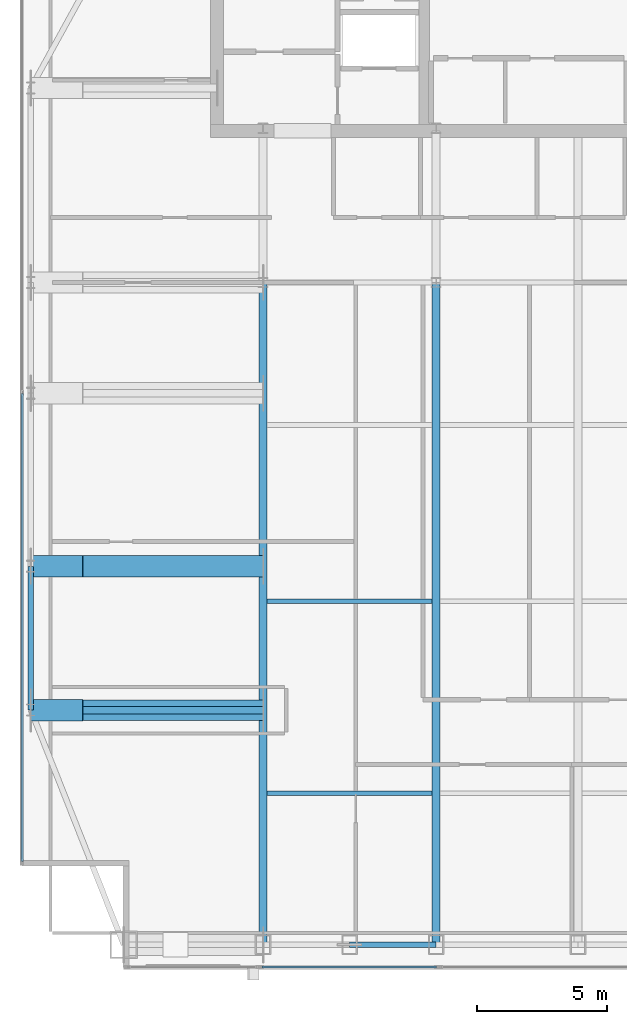
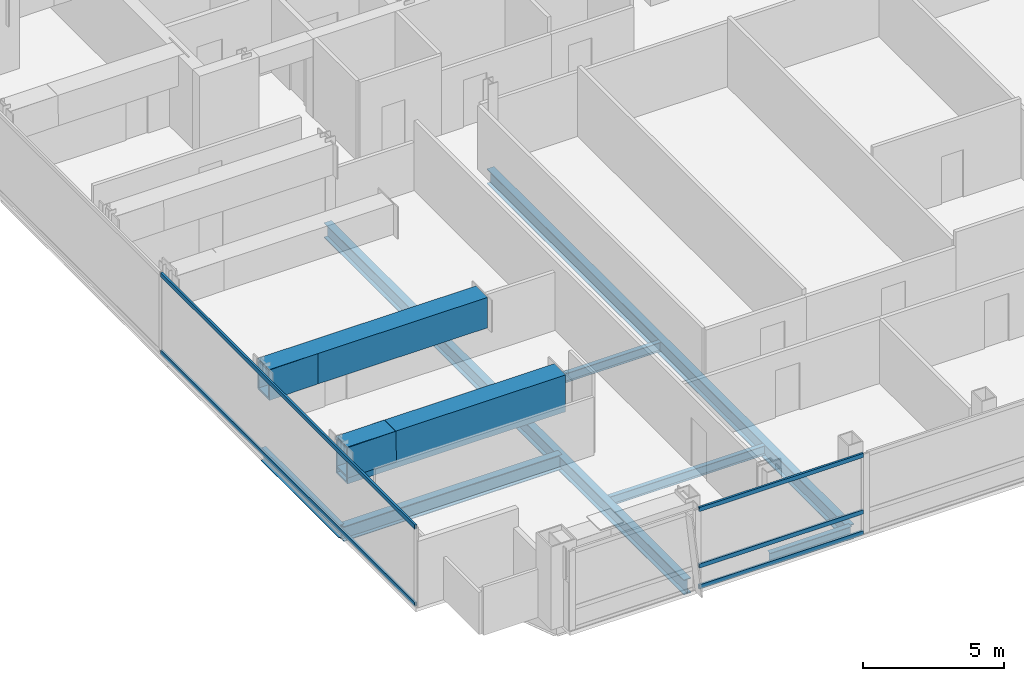
# One storey, part 6 of 26: 11 beams, 5 members, 2 elements without a shape of their own.
"""IFC4 building model written with IfcOpenShell, lengths in metres."""

import ifcopenshell
import ifcopenshell.guid

model = None  # the IFC model being written
_history = None  # IfcOwnerHistory: only IFC2X3 demands one
_inside = {}  # id of a spatial element -> (the spatial element, [elements in it])
_under = {}  # id of a project, library or spatial element -> (it, [spatial elements below it])
_declared = {}  # id of a project -> (the project, [libraries it declares])
_typed = {}  # id of a type object -> (the type object, [elements of that type])
_made_of = {}  # id of a material, layer set ... -> (it, [elements and type objects made of it])


def new_model(schema):
    """Start an empty IFC model of exactly this schema.

    Asked for "IFC4X3", IfcOpenShell would pick the latest addendum, in which some entities
    have other attributes; the version numbers below select the first issue.
    IFC2X3 requires an IfcOwnerHistory on every rooted entity: one is made here for all.
    """
    global model, _history
    if schema == "IFC4X3":
        model = ifcopenshell.file(schema_version=(4, 3, 0, 0))
    else:
        model = ifcopenshell.file(schema=schema)
    _inside.clear()
    _under.clear()
    _declared.clear()
    _typed.clear()
    _made_of.clear()
    _history = None
    if model.schema == "IFC2X3":
        org = make("IfcOrganization", Name="unknown")
        user = make(
            "IfcPersonAndOrganization",
            ThePerson=make("IfcPerson", FamilyName="unknown"),
            TheOrganization=org,
        )
        app = make(
            "IfcApplication",
            ApplicationDeveloper=org,
            Version="unknown",
            ApplicationFullName="unknown",
            ApplicationIdentifier="unknown",
        )
        _history = make(
            "IfcOwnerHistory",
            OwningUser=user,
            OwningApplication=app,
            ChangeAction="ADDED",
            CreationDate=0,
        )
    return model


def make(cls, **values):
    """One entity of the class cls with the attributes given. An attribute that is None is left unset."""
    return model.create_entity(
        cls, **{name: value for name, value in values.items() if value is not None}
    )


def rooted(cls, **values):
    """An entity with a GlobalId (a new one), such as an element, a storey or a relation."""
    return make(cls, GlobalId=ifcopenshell.guid.new(), OwnerHistory=_history, **values)


def si_unit(unit_type, name, prefix=None):
    """IfcSIUnit, for example si_unit("LENGTHUNIT", "METRE", prefix="MILLI")."""
    return make("IfcSIUnit", UnitType=unit_type, Prefix=prefix, Name=name)


def assignment(units):
    """IfcUnitAssignment: the units of a project."""
    return None if units is None else make("IfcUnitAssignment", Units=units)


def point(xyz):
    """IfcCartesianPoint."""
    return None if xyz is None else make("IfcCartesianPoint", Coordinates=xyz)


def direction(xyz):
    """IfcDirection."""
    return None if xyz is None else make("IfcDirection", DirectionRatios=xyz)


def frame(location, z_axis=None, x_axis=None):
    """IfcAxis2Placement3D, a coordinate frame: its origin and axes. An axis left out is left unset."""
    return make(
        "IfcAxis2Placement3D",
        Location=point(location),
        Axis=direction(z_axis),
        RefDirection=direction(x_axis),
    )


def frame_2d(location, x_axis=None):
    """IfcAxis2Placement2D, a coordinate frame in the plane: its origin and x axis."""
    return make(
        "IfcAxis2Placement2D", Location=point(location), RefDirection=direction(x_axis)
    )


def origin():
    """The frame at (0, 0, 0) with its axes left unset."""
    return frame((0.0, 0.0, 0.0))


def origin_2d():
    """The frame at (0, 0) in the plane with its x axis left unset."""
    return frame_2d((0.0, 0.0))


def place(relative_to, where):
    """IfcLocalPlacement: puts the frame where relative to a parent placement (None: the world)."""
    return make(
        "IfcLocalPlacement", PlacementRelTo=relative_to, RelativePlacement=where
    )


def context(
    kind, dimensions, precision=None, world=None, true_north=None, identifier=None
):
    """IfcGeometricRepresentationContext, for example the 3D "Model" context."""
    return make(
        "IfcGeometricRepresentationContext",
        ContextIdentifier=identifier,
        ContextType=kind,
        CoordinateSpaceDimension=dimensions,
        Precision=precision,
        WorldCoordinateSystem=world,
        TrueNorth=true_north,
    )


def subcontext(parent, identifier, kind, view, scale=None):
    """IfcGeometricRepresentationSubContext, for example "Body" below "Model"."""
    return make(
        "IfcGeometricRepresentationSubContext",
        ContextIdentifier=identifier,
        ContextType=kind,
        ParentContext=parent,
        TargetScale=scale,
        TargetView=view,
    )


def project(units=None, contexts=None):
    """IfcProject with its units and contexts."""
    return rooted(
        "IfcProject",
        Name="project",
        RepresentationContexts=contexts,
        UnitsInContext=assignment(units),
    )


def spatial(cls, under=None, at=None, **own):
    """A site, building, storey or space (cls), placed at a placement, below another one or the project."""
    s = rooted(cls, ObjectPlacement=at, **own)
    if under is not None:
        _under.setdefault(under.id(), (under, []))[1].append(s)
    return s


def profile(cls, at=None, kind="AREA", **sizes):
    """A parametric profile (cls). Its sizes go by their IFC names, for example OverallWidth=200.0."""
    return make(cls, ProfileType=kind, Position=at, **sizes)


def hollow_rectangle(**sizes):
    """IfcRectangleHollowProfileDef."""
    return profile("IfcRectangleHollowProfileDef", **sizes)


def i_section(**sizes):
    """IfcIShapeProfileDef."""
    return profile("IfcIShapeProfileDef", **sizes)


def extrude(swept, where, along, depth):
    """IfcExtrudedAreaSolid: the profile swept, set in the frame where, extruded along a direction by depth."""
    return make(
        "IfcExtrudedAreaSolid",
        SweptArea=swept,
        Position=where,
        ExtrudedDirection=direction(along),
        Depth=depth,
    )


def shape(context_of_items, identifier, shape_type, items):
    """IfcShapeRepresentation: the items that make up one representation, for example the "Body"."""
    return make(
        "IfcShapeRepresentation",
        ContextOfItems=context_of_items,
        RepresentationIdentifier=identifier,
        RepresentationType=shape_type,
        Items=items,
    )


def material(Name=None, Category=None):
    """IfcMaterial."""
    return make("IfcMaterial", Name=Name, Category=Category)


def material_profile(
    of_material, cross_section, Name=None, Category=None, Priority=None
):
    """IfcMaterialProfile: a cross section and its material."""
    return make(
        "IfcMaterialProfile",
        Name=Name,
        Material=of_material,
        Profile=cross_section,
        Priority=Priority,
        Category=Category,
    )


def profile_set(profiles, Name=None, composite=None):
    """IfcMaterialProfileSet."""
    return make(
        "IfcMaterialProfileSet",
        Name=Name,
        MaterialProfiles=profiles,
        CompositeProfile=composite,
    )


def made_of(thing, what):
    """Note that an element or type object is made of a material, layer set ...; save() writes the relation."""
    if what is not None:
        _made_of.setdefault(what.id(), (what, []))[1].append(thing)
    return thing


def type_object(cls, material=None, **own):
    """A type object (cls), such as IfcWallType, which elements share."""
    return made_of(rooted(cls, **own), material)


def element(
    cls,
    number,
    at=None,
    inside=None,
    cuts=None,
    type_object=None,
    material=None,
    context=None,
    identifier="Body",
    shape_type=None,
    held_by="IfcProductDefinitionShape",
    body=None,
    shapes=None,
    **own,
):
    """One element of the class cls, such as IfcWall. Its Tag is "e" and its number.

    at: its placement. inside: the storey or other place that contains it. cuts: it is an
    opening in that element (IfcRelVoidsElement). A single representation is given by context,
    identifier, shape_type and body (its items); several are given by shapes. held_by: the class
    of the entity that holds the representations. save() writes the other relations.
    """
    e = rooted(cls, Tag="e%d" % number, ObjectPlacement=at, **own)
    if body is not None:
        shapes = [shape(context, identifier, shape_type, body)]
    if shapes is not None:
        e.Representation = make(held_by, Representations=shapes)
    if inside is not None:
        _inside.setdefault(inside.id(), (inside, []))[1].append(e)
    if cuts is not None:
        rooted(
            "IfcRelVoidsElement", RelatingBuildingElement=cuts, RelatedOpeningElement=e
        )
    if type_object is not None:
        _typed.setdefault(type_object.id(), (type_object, []))[1].append(e)
    return made_of(e, material)


def aggregate(whole, parts):
    """IfcRelAggregates: a whole, such as a stair, and the parts it consists of."""
    return rooted("IfcRelAggregates", RelatingObject=whole, RelatedObjects=parts)


def save(model, path):
    """Write the relations noted so far, then the file.

    IfcRelAggregates (storeys below a building ...), IfcRelContainedInSpatialStructure (elements
    in a storey), IfcRelDefinesByType, IfcRelAssociatesMaterial and IfcRelDeclares: one each for
    every whole, place, type object, material and project.
    """
    for whole, parts in _under.values():
        aggregate(whole, parts)
    for where, things in _inside.values():
        rooted(
            "IfcRelContainedInSpatialStructure",
            RelatedElements=things,
            RelatingStructure=where,
        )
    for kind, things in _typed.values():
        rooted("IfcRelDefinesByType", RelatedObjects=things, RelatingType=kind)
    for what, things in _made_of.values():
        rooted("IfcRelAssociatesMaterial", RelatedObjects=things, RelatingMaterial=what)
    for by, libraries in _declared.values():
        rooted("IfcRelDeclares", RelatingContext=by, RelatedDefinitions=libraries)
    model.write(path)


model = new_model("IFC4")

# Units and contexts
model_context = context("Model", 3, precision=1e-05, world=origin(), true_north=direction((0.0, 1.0)))
body_context = subcontext(model_context, "Body", "Model", "MODEL_VIEW")
ifc_project = project(units=[si_unit("LENGTHUNIT", "METRE"), si_unit("AREAUNIT", "SQUARE_METRE"), si_unit("VOLUMEUNIT", "CUBIC_METRE"), si_unit("PLANEANGLEUNIT", "RADIAN"), si_unit("MASSUNIT", "GRAM", prefix="KILO")], contexts=[model_context])

# Site, building, storey
site_placement = place(None, origin())
site = spatial("IfcSite", under=ifc_project, at=site_placement, CompositionType="ELEMENT")
building_placement = place(site_placement, origin())
building = spatial("IfcBuilding", under=site, at=building_placement, Name="Khoronbel Lancet Exchange", CompositionType="ELEMENT")
storey_placement = place(building_placement, frame((0.0, 0.0, 287.800048828125)))
storey = spatial("IfcBuildingStorey", under=building, at=storey_placement, Name="L74", CompositionType="ELEMENT", Elevation=287.800048828125)

# Beams
ifc_material_1 = material(Name="Steel S355", Category="steel")
ifc_material_profile_1 = material_profile(ifc_material_1, i_section(OverallWidth=0.300048828125, OverallDepth=0.64990234375, WebThickness=0.01611328125, FlangeThickness=0.031005859375, at=origin_2d()), Name="HEB 650")
ifc_profile_set_1 = profile_set([ifc_material_profile_1], Name="Steel S355")
beam_type_1 = type_object("IfcBeamType", Name="BM-BG4", PredefinedType="BEAM", material=ifc_profile_set_1)
for number, where, z_axis, x_axis, name in (
    (1, (18.22509765625, 10.14990234375, -0.485107421875), (0.0, 1.0, 0.0), (-1.0, 0.0, 0.0), "Level L74 south primary girder GS1"),
    (2, (24.89990234375, 10.14990234375, -0.485107421875), (0.0, 1.0, 0.0), (-1.0, 0.0, 0.0), "Level L74 south primary girder GS2"),
):
    element("IfcBeam", number, at=place(storey_placement, frame(where, z_axis=z_axis, x_axis=x_axis)), inside=storey, type_object=beam_type_1, Name=name, PredefinedType="BEAM", context=body_context, shape_type="SweptSolid", body=[
        extrude(i_section(OverallWidth=0.300048828125, OverallDepth=0.64990234375, WebThickness=0.01611328125, FlangeThickness=0.031005859375, at=origin_2d()), origin(), (0.0, 0.0, 1.0), 25.550048828125),
    ])
beam_1_placement = place(storey_placement, frame((9.27001953125, 19.199951171875, -0.485107421875), z_axis=(1.0, 0.0, 0.0), x_axis=(0.0, 1.0, 0.0)))
element("IfcBeam", 3, at=beam_1_placement, inside=storey, type_object=beam_type_1, Name="Level L74 west lens tie girder LG1W", PredefinedType="BEAM", context=body_context, shape_type="SweptSolid", body=[
    extrude(i_section(OverallWidth=0.300048828125, OverallDepth=0.64990234375, WebThickness=0.01611328125, FlangeThickness=0.031005859375, at=origin_2d()), origin(), (0.0, 0.0, 1.0), 8.955078125),
])
ifc_material_profile_2 = material_profile(ifc_material_1, i_section(OverallWidth=0.179931640625, OverallDepth=0.39990234375, WebThickness=0.008544921875, FlangeThickness=0.013427734375, at=origin_2d()), Name="IPE 400")
ifc_profile_set_2 = profile_set([ifc_material_profile_2], Name="Steel S355")
beam_type_2 = type_object("IfcBeamType", Name="BM-BJ5", PredefinedType="JOIST", material=ifc_profile_set_2)
for number, where, z_axis, x_axis, name in (
    (4, (18.375, 16.0, -0.360107421875), (1.0, 0.0, 0.0), (0.0, 1.0, 0.0), "Level L74 secondary composite joist J01"),
    (5, (18.375, 23.39990234375, -0.360107421875), (1.0, 0.0, 0.0), (0.0, 1.0, 0.0), "Level L74 secondary composite joist J06"),
):
    element("IfcBeam", number, at=place(storey_placement, frame(where, z_axis=z_axis, x_axis=x_axis)), inside=storey, type_object=beam_type_2, Name=name, PredefinedType="JOIST", context=body_context, shape_type="SweptSolid", body=[
        extrude(i_section(OverallWidth=0.179931640625, OverallDepth=0.39990234375, WebThickness=0.008544921875, FlangeThickness=0.013427734375, at=origin_2d()), origin(), (0.0, 0.0, 1.0), 6.375),
    ])
ifc_material_profile_3 = material_profile(ifc_material_1, i_section(OverallWidth=0.2099609375, OverallDepth=0.550048828125, WebThickness=0.010986328125, FlangeThickness=0.01708984375, at=origin_2d()), Name="IPE 550")
ifc_profile_set_3 = profile_set([ifc_material_profile_3], Name="Steel S355")
beam_type_3 = type_object("IfcBeamType", Name="BM-BSP3", PredefinedType="SPANDREL", material=ifc_profile_set_3)
beam_2_placement = place(storey_placement, frame((21.5625, 10.14990234375, -0.43505859375), z_axis=(1.0, 0.0, 0.0), x_axis=(0.0, 1.0, 0.0)))
element("IfcBeam", 6, at=beam_2_placement, inside=storey, type_object=beam_type_3, Name="Level L74 perimeter spandrel beam SP03", PredefinedType="SPANDREL", context=body_context, shape_type="SweptSolid", body=[
    extrude(i_section(OverallWidth=0.2099609375, OverallDepth=0.550048828125, WebThickness=0.010986328125, FlangeThickness=0.01708984375, at=origin_2d()), origin(), (0.0, 0.0, 1.0), 3.33740234375),
])
beam_3_placement = place(storey_placement, frame((9.27001953125, 24.75, -0.43505859375), z_axis=(0.0, -1.0, 0.0), x_axis=(1.0, 0.0, 0.0)))
element("IfcBeam", 7, at=beam_3_placement, inside=storey, type_object=beam_type_3, Name="Level L74 perimeter spandrel beam SP20", PredefinedType="SPANDREL", context=body_context, shape_type="SweptSolid", body=[
    extrude(i_section(OverallWidth=0.2099609375, OverallDepth=0.550048828125, WebThickness=0.010986328125, FlangeThickness=0.01708984375, at=origin_2d()), origin(), (0.0, 0.0, 1.0), 5.550048828125),
])
ifc_material_2 = material(Name="Steel S460", Category="steel")
ifc_material_profile_4 = material_profile(ifc_material_2, hollow_rectangle(XDim=0.800048828125, YDim=1.60009765625, WallThickness=0.06494140625, at=origin_2d()), Name="BOX 800x1600x65")
ifc_profile_set_4 = profile_set([ifc_material_profile_4], Name="Steel S460")
beam_type_4 = type_object("IfcBeamType", Name="BM-TG2", PredefinedType="USERDEFINED", material=ifc_profile_set_4)
beam_4_placement = place(storey_placement, frame((9.27001953125, 19.199951171875, 2.639892578125), z_axis=(1.0, 0.0, 0.0), x_axis=(0.0, 1.0, 0.0)))
element("IfcBeam", 8, at=beam_4_placement, inside=storey, type_object=beam_type_4, Name="Lens setback S460 transfer girder L74-W1", ObjectType="TRANSFER GIRDER", PredefinedType="USERDEFINED", context=body_context, shape_type="SweptSolid", body=[
    extrude(hollow_rectangle(XDim=0.800048828125, YDim=1.60009765625, WallThickness=0.06494140625, at=origin_2d()), origin(), (0.0, 0.0, 1.0), 8.955078125),
])
ifc_material_profile_5 = material_profile(ifc_material_2, hollow_rectangle(XDim=0.820068359375, YDim=1.320068359375, WallThickness=0.070068359375, at=origin_2d()), Name="BOX 820x1320x70")
ifc_profile_set_5 = profile_set([ifc_material_profile_5], Name="Steel S460")
beam_type_5 = type_object("IfcBeamType", Name="BM-TG4", PredefinedType="USERDEFINED", material=ifc_profile_set_5)
for number, where, z_axis, x_axis, name in (
    (9, (9.27001953125, 19.199951171875, 2.760009765625), (0.99994990606, 0.0, 0.010009264196), (0.0, 1.0, 0.0), "Setback transfer knee-brace girder L74-WC-1"),
    (10, (9.27001953125, 24.75, 2.760009765625), (0.99994990606, 0.0, 0.010009264196), (0.0, 1.0, 0.0), "Setback transfer knee-brace girder L74-WC-2"),
):
    element("IfcBeam", number, at=place(storey_placement, frame(where, z_axis=z_axis, x_axis=x_axis)), inside=storey, type_object=beam_type_5, Name=name, ObjectType="TRANSFER GIRDER", PredefinedType="USERDEFINED", context=body_context, shape_type="SweptSolid", body=[
        extrude(hollow_rectangle(XDim=0.820068359375, YDim=1.320068359375, WallThickness=0.070068359375, at=origin_2d()), origin(), (0.0, 0.0, 1.0), 2.0),
    ])
beam_5_placement = place(storey_placement, frame((9.27001953125, 24.75, 2.780029296875), z_axis=(1.0, 0.0, 0.0), x_axis=(0.0, 1.0, 0.0)))
element("IfcBeam", 11, at=beam_5_placement, inside=storey, type_object=beam_type_5, Name="Lens setback S460 transfer girder L74-W2", ObjectType="TRANSFER GIRDER", PredefinedType="USERDEFINED", context=body_context, shape_type="SweptSolid", body=[
    extrude(hollow_rectangle(XDim=0.820068359375, YDim=1.320068359375, WallThickness=0.070068359375, at=origin_2d()), origin(), (0.0, 0.0, 1.0), 8.955078125),
])

# Curtain wall, members
ifc_material_3 = material(Name="Low-E Solar Control Insulating Glass", Category="glass")
curtain_wall_type_1 = type_object("IfcCurtainWallType", Name="CW-4", PredefinedType="NOTDEFINED", material=ifc_material_3)
curtain_wall_1_placement = place(storey_placement, origin())
curtain_wall_1 = element("IfcCurtainWall", 12, at=curtain_wall_1_placement, inside=storey, type_object=curtain_wall_type_1, Name="Unitised curtain wall CW-L74-E03", PredefinedType="NOTDEFINED")
ifc_material_4 = material(Name="Bronze-Anodised Aluminium 6063-T6", Category="aluminium")
ifc_material_profile_6 = material_profile(ifc_material_4, hollow_rectangle(XDim=0.0849609375, YDim=0.179931640625, WallThickness=0.0048828125, at=origin_2d()), Name="ALU TRANSOM 85x180")
ifc_profile_set_6 = profile_set([ifc_material_profile_6], Name="Bronze-Anodised Aluminium 6063-T6")
member_type = type_object("IfcMemberType", Name="MEM-CWT1", PredefinedType="USERDEFINED", material=ifc_profile_set_6)
member_1_placement = place(storey_placement, frame((8.93994140625, 13.364990234375, 0.04248046875), z_axis=(0.0, 1.0, 0.0), x_axis=(-1.0, 0.0, 0.0)))
member_1 = element("IfcMember", 13, at=member_1_placement, type_object=member_type, Name="CW4 transom 1.1", ObjectType="TRANSOM", PredefinedType="USERDEFINED", context=body_context, shape_type="SweptSolid", body=[
    extrude(hollow_rectangle(XDim=0.0849609375, YDim=0.179931640625, WallThickness=0.0048828125, at=origin_2d()), origin(), (0.0, 0.0, 1.0), 18.047607421875),
])
member_2_placement = place(storey_placement, frame((8.93994140625, 13.364990234375, 3.3974609375), z_axis=(0.0, 1.0, 0.0), x_axis=(-1.0, 0.0, 0.0)))
member_2 = element("IfcMember", 14, at=member_2_placement, type_object=member_type, Name="CW4 transom 1.2", ObjectType="TRANSOM", PredefinedType="USERDEFINED", context=body_context, shape_type="SweptSolid", body=[
    extrude(hollow_rectangle(XDim=0.0849609375, YDim=0.179931640625, WallThickness=0.0048828125, at=origin_2d()), origin(), (0.0, 0.0, 1.0), 18.047607421875),
])
aggregate(curtain_wall_1, [member_1, member_2])

curtain_wall_type_2 = type_object("IfcCurtainWallType", Name="CW-3", PredefinedType="NOTDEFINED", material=ifc_material_3)
curtain_wall_2_placement = place(storey_placement, origin())
curtain_wall_2 = element("IfcCurtainWall", 15, at=curtain_wall_2_placement, inside=storey, type_object=curtain_wall_type_2, Name="Unitised curtain wall CW-L74-SWB", PredefinedType="NOTDEFINED")
member_3_placement = place(storey_placement, frame((18.18505859375, 9.2900390625, 0.04248046875), z_axis=(1.0, 0.0, 0.0), x_axis=(0.0, 1.0, 0.0)))
member_3 = element("IfcMember", 16, at=member_3_placement, type_object=member_type, Name="CW3 transom 1.1", ObjectType="TRANSOM", PredefinedType="USERDEFINED", context=body_context, shape_type="SweptSolid", body=[
    extrude(hollow_rectangle(XDim=0.0849609375, YDim=0.179931640625, WallThickness=0.0048828125, at=origin_2d()), origin(), (0.0, 0.0, 1.0), 6.72998046875),
])
member_4_placement = place(storey_placement, frame((18.18505859375, 9.2900390625, 0.949951171875), z_axis=(1.0, 0.0, 0.0), x_axis=(0.0, 1.0, 0.0)))
member_4 = element("IfcMember", 17, at=member_4_placement, type_object=member_type, Name="CW3 transom 1.2", ObjectType="TRANSOM", PredefinedType="USERDEFINED", context=body_context, shape_type="SweptSolid", body=[
    extrude(hollow_rectangle(XDim=0.0849609375, YDim=0.179931640625, WallThickness=0.0048828125, at=origin_2d()), origin(), (0.0, 0.0, 1.0), 6.72998046875),
])
member_5_placement = place(storey_placement, frame((18.18505859375, 9.2900390625, 3.3974609375), z_axis=(1.0, 0.0, 0.0), x_axis=(0.0, 1.0, 0.0)))
member_5 = element("IfcMember", 18, at=member_5_placement, type_object=member_type, Name="CW3 transom 1.3", ObjectType="TRANSOM", PredefinedType="USERDEFINED", context=body_context, shape_type="SweptSolid", body=[
    extrude(hollow_rectangle(XDim=0.0849609375, YDim=0.179931640625, WallThickness=0.0048828125, at=origin_2d()), origin(), (0.0, 0.0, 1.0), 6.72998046875),
])
aggregate(curtain_wall_2, [member_3, member_4, member_5])

save(model, "model.ifc")
